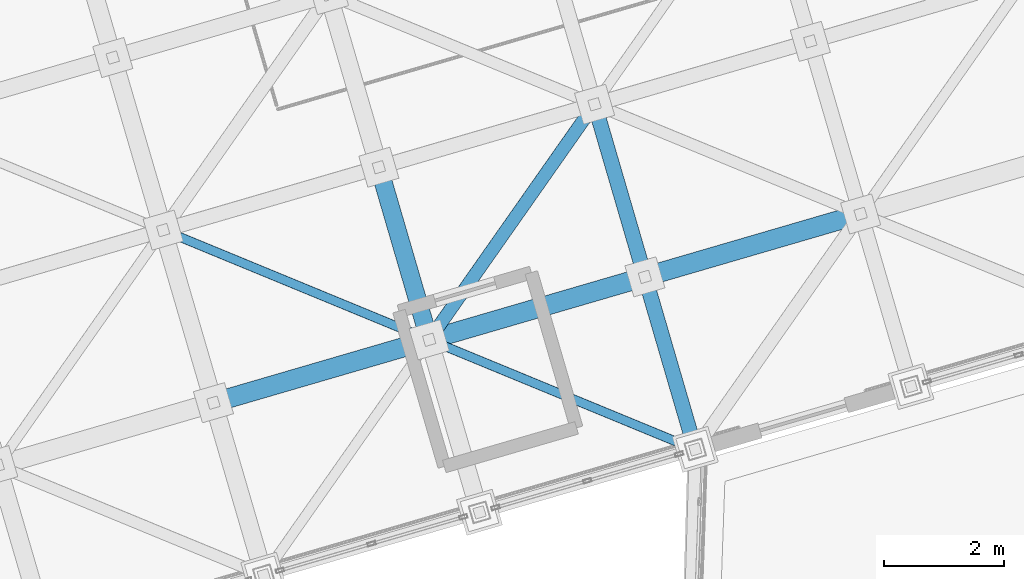
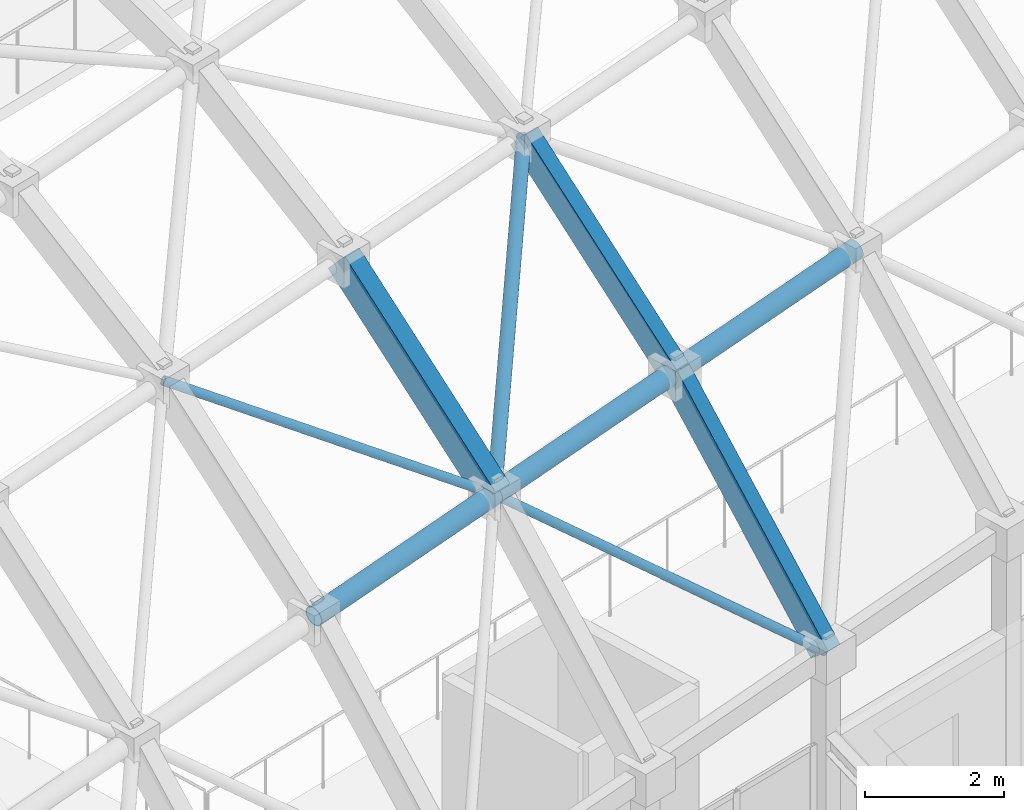
# One storey, part 42 of 248: 6 members, 3 beams.
"""IFC4 building model written with IfcOpenShell, lengths in metres."""

from ifc_helpers import new_model, si_unit, direction, frame, origin, origin_2d, place, context, subcontext, project, spatial, hollow_rectangle, hollow_circle, extrude, material, material_profile, profile_set, type_object, element, save


model = new_model("IFC4")

# Units and contexts
model_context = context("Model", 3, precision=1e-05, world=origin(), true_north=direction((0.0, 1.0)))
body_context = subcontext(model_context, "Body", "Model", "MODEL_VIEW")
ifc_project = project(units=[si_unit("LENGTHUNIT", "METRE"), si_unit("AREAUNIT", "SQUARE_METRE"), si_unit("VOLUMEUNIT", "CUBIC_METRE"), si_unit("PLANEANGLEUNIT", "RADIAN"), si_unit("MASSUNIT", "GRAM", prefix="KILO")], contexts=[model_context])

# Site, building, storey
site_placement = place(None, origin())
site = spatial("IfcSite", under=ifc_project, at=site_placement, CompositionType="ELEMENT")
building_placement = place(site_placement, origin())
building = spatial("IfcBuilding", under=site, at=building_placement, Name="Canggui Botanical Conservatory", CompositionType="ELEMENT")
storey_placement = place(building_placement, frame((0.0, 0.0, 5.39990234375)))
storey = spatial("IfcBuildingStorey", under=building, at=storey_placement, Name="L02", CompositionType="ELEMENT", Elevation=5.39990234375)

# Beams
ifc_material = material(Name="Steel Q355C", Category="steel")
ifc_material_profile_1 = material_profile(ifc_material, hollow_rectangle(XDim=0.300048828125, YDim=0.5, WallThickness=0.01611328125, at=origin_2d()), Name="RHS 300x500x16")
ifc_profile_set_1 = profile_set([ifc_material_profile_1], Name="Steel Q355C")
beam_type_1 = type_object("IfcBeamType", Name="BM-GJ01", PredefinedType="BEAM", material=ifc_profile_set_1)
beam_1_placement = place(storey_placement, frame((29.9599609375, 48.030029296875, 7.80615234375), z_axis=(-0.208504257707, 0.714975646487, 0.667334848069), x_axis=(-0.960010937337, -0.279962497833, 0.0)))
element("IfcBeam", 1, at=beam_1_placement, inside=storey, type_object=beam_type_1, Name="Conservatory Stepped-Arch Rib GJ-04 Segment 2", PredefinedType="BEAM", context=body_context, shape_type="SweptSolid", body=[
    extrude(hollow_rectangle(XDim=0.300048828125, YDim=0.5, WallThickness=0.01611328125, at=origin_2d()), origin(), (0.0, 0.0, 1.0), 4.02783203125),
])
ifc_material_profile_2 = material_profile(ifc_material, hollow_rectangle(XDim=0.25, YDim=0.449951171875, WallThickness=0.013916015625, at=origin_2d()), Name="RHS 250x450x14")
ifc_profile_set_2 = profile_set([ifc_material_profile_2], Name="Steel Q355C")
beam_type_2 = type_object("IfcBeamType", Name="BM-GJ02", PredefinedType="BEAM", material=ifc_profile_set_2)
beam_2_placement = place(storey_placement, frame((34.39990234375, 46.199951171875, 4.60009765625), z_axis=(-0.183510350266, 0.62932314014, 0.755166429755), x_axis=(-0.960017315421, -0.279940626011, 0.0)))
element("IfcBeam", 2, at=beam_2_placement, inside=storey, type_object=beam_type_2, Name="Conservatory Stepped-Arch Rib GJ-05 Segment 1", PredefinedType="BEAM", context=body_context, shape_type="SweptSolid", body=[
    extrude(hollow_rectangle(XDim=0.25, YDim=0.449951171875, WallThickness=0.013916015625, at=origin_2d()), origin(), (0.0, 0.0, 1.0), 4.57666015625),
])
beam_3_placement = place(storey_placement, frame((33.56005859375, 49.080078125, 8.05615234375), z_axis=(-0.208562233276, 0.714966609628, 0.66732641336), x_axis=(-0.959989061447, -0.280037500885, 0.0)))
element("IfcBeam", 3, at=beam_3_placement, inside=storey, type_object=beam_type_2, Name="Conservatory Stepped-Arch Rib GJ-05 Segment 2", PredefinedType="BEAM", context=body_context, shape_type="SweptSolid", body=[
    extrude(hollow_rectangle(XDim=0.25, YDim=0.449951171875, WallThickness=0.013916015625, at=origin_2d()), origin(), (0.0, 0.0, 1.0), 4.028076171875),
])

# Members
ifc_material_profile_3 = material_profile(ifc_material, hollow_circle(Radius=0.16259765625, WallThickness=0.011962890625, at=origin_2d()), Name="CHS 325x12")
ifc_profile_set_3 = profile_set([ifc_material_profile_3], Name="Steel Q355C")
member_type_1 = type_object("IfcMemberType", Name="MEM-GSC01", PredefinedType="CHORD", material=ifc_profile_set_3)
member_1_placement = place(storey_placement, frame((26.360107421875, 46.97998046875, 7.55615234375), z_axis=(0.957867059601, 0.279402253194, 0.066521252562), x_axis=(-0.280022500685, 0.959993437014, 0.0)))
element("IfcMember", 4, at=member_1_placement, inside=storey, type_object=member_type_1, Name="Conservatory Gridshell Longitudinal Chord 3-1", PredefinedType="CHORD", context=body_context, shape_type="SweptSolid", body=[
    extrude(hollow_circle(Radius=0.16259765625, WallThickness=0.011962890625, at=origin_2d()), origin(), (0.0, 0.0, 1.0), 3.75830078125),
])
member_2_placement = place(storey_placement, frame((29.9599609375, 48.030029296875, 7.80615234375), z_axis=(0.957872417874, 0.27938486839, 0.066517113516), x_axis=(-0.280004999853, 0.959998541695, 0.0)))
element("IfcMember", 5, at=member_2_placement, inside=storey, type_object=member_type_1, Name="Conservatory Gridshell Longitudinal Chord 4-1", PredefinedType="CHORD", context=body_context, shape_type="SweptSolid", body=[
    extrude(hollow_circle(Radius=0.16259765625, WallThickness=0.011962890625, at=origin_2d()), origin(), (0.0, 0.0, 1.0), 3.758544921875),
])
member_3_placement = place(storey_placement, frame((33.56005859375, 49.080078125, 8.05615234375), z_axis=(0.95788444389, 0.279342360714, 0.066522459854), x_axis=(-0.279962497833, 0.960010937337, 0.0)))
element("IfcMember", 6, at=member_3_placement, inside=storey, type_object=member_type_1, Name="Conservatory Gridshell Longitudinal Chord 5-1", PredefinedType="CHORD", context=body_context, shape_type="SweptSolid", body=[
    extrude(hollow_circle(Radius=0.16259765625, WallThickness=0.011962890625, at=origin_2d()), origin(), (0.0, 0.0, 1.0), 3.758056640625),
])
ifc_material_profile_4 = material_profile(ifc_material, hollow_circle(Radius=0.109619140625, WallThickness=0.008056640625, at=origin_2d()), Name="CHS 219x8")
ifc_profile_set_4 = profile_set([ifc_material_profile_4], Name="Steel Q355C")
member_type_2 = type_object("IfcMemberType", Name="MEM-GSD01", PredefinedType="RAFTER", material=ifc_profile_set_4)
member_4_placement = place(storey_placement, frame((29.9599609375, 48.030029296875, 7.80615234375), z_axis=(0.49025667873, 0.698068266918, 0.521870753811), x_axis=(-0.818344854073, 0.574727500484, 0.0)))
element("IfcMember", 7, at=member_4_placement, inside=storey, type_object=member_type_2, Name="Conservatory Gridshell Diagrid Rafter 4-2", PredefinedType="RAFTER", context=body_context, shape_type="SweptSolid", body=[
    extrude(hollow_circle(Radius=0.109619140625, WallThickness=0.008056640625, at=origin_2d()), origin(), (0.0, 0.0, 1.0), 5.629638671875),
])
ifc_material_profile_5 = material_profile(ifc_material, hollow_circle(Radius=0.075927734375, WallThickness=0.006103515625, at=origin_2d()), Name="CHS 152x6")
ifc_profile_set_5 = profile_set([ifc_material_profile_5], Name="Steel Q355C")
member_type_3 = type_object("IfcMemberType", Name="MEM-GSD04", PredefinedType="RAFTER", material=ifc_profile_set_5)
member_5_placement = place(storey_placement, frame((25.52001953125, 49.860107421875, 10.244140625), z_axis=(0.824390397512, -0.339801518737, -0.452675822586), x_axis=(0.381082183428, 0.924541166998, 0.0)))
element("IfcMember", 8, at=member_5_placement, inside=storey, type_object=member_type_3, Name="Conservatory Gridshell Diagrid Rafter 3-2", PredefinedType="RAFTER", context=body_context, shape_type="SweptSolid", body=[
    extrude(hollow_circle(Radius=0.075927734375, WallThickness=0.006103515625, at=origin_2d()), origin(), (0.0, 0.0, 1.0), 5.3857421875),
])
member_6_placement = place(storey_placement, frame((29.9599609375, 48.030029296875, 7.80615234375), z_axis=(0.768931384715, -0.316942134599, -0.555240676569), x_axis=(0.381082183428, 0.924541166998, 0.0)))
element("IfcMember", 9, at=member_6_placement, inside=storey, type_object=member_type_3, Name="Conservatory Gridshell Diagrid Rafter 4-1", PredefinedType="RAFTER", context=body_context, shape_type="SweptSolid", body=[
    extrude(hollow_circle(Radius=0.075927734375, WallThickness=0.006103515625, at=origin_2d()), origin(), (0.0, 0.0, 1.0), 5.774169921875),
])

save(model, "model.ifc")
